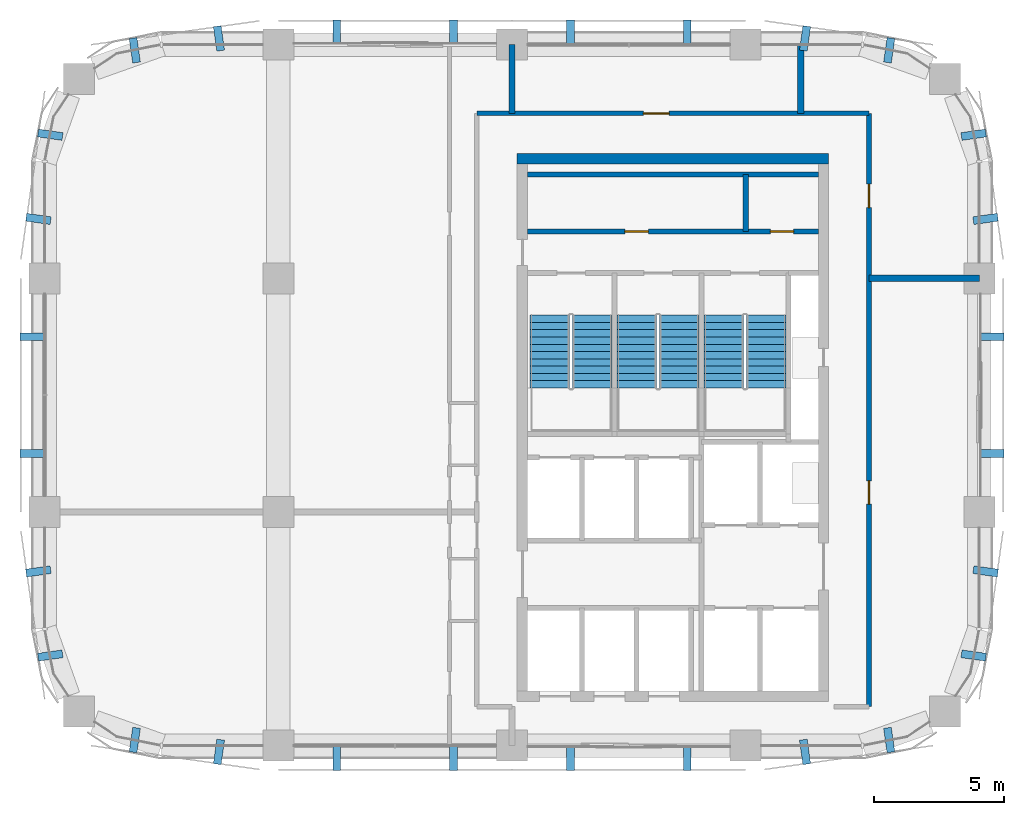
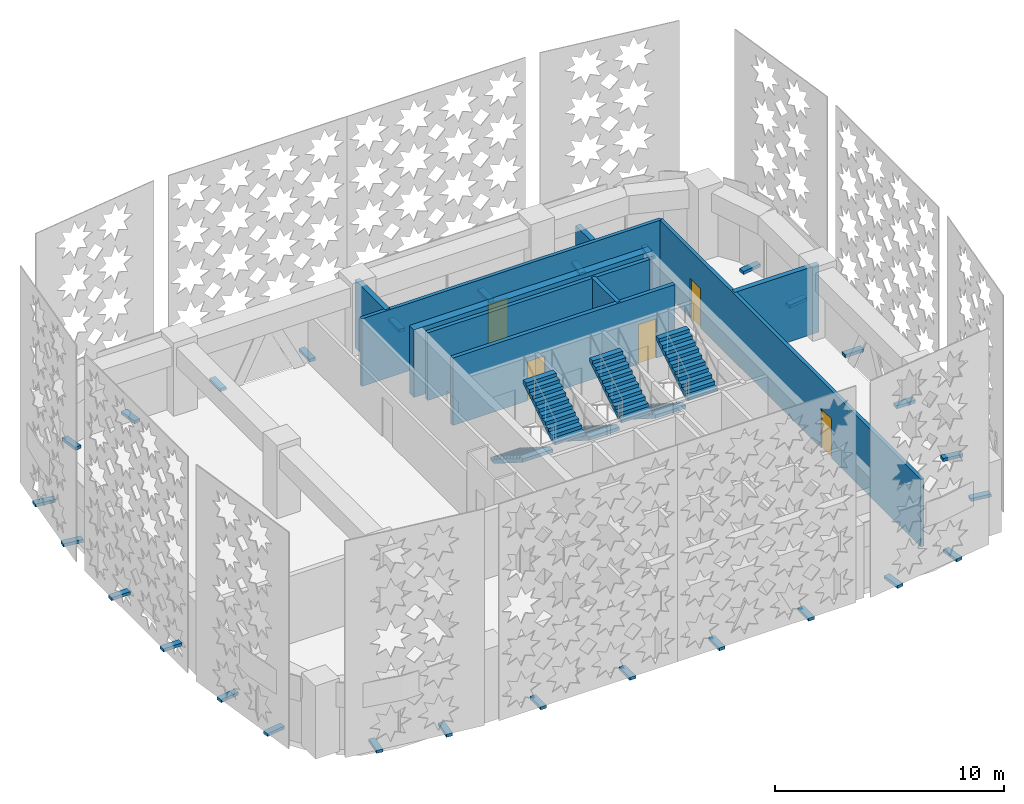
# One storey, part 8 of 14: 28 discrete accessories, 9 walls, 6 stair flights, 5 doors, 5 openings, 3 elements without a shape of their own.
"""IFC4 building model written with IfcOpenShell, lengths in metres."""

from ifc_helpers import new_model, si_unit, direction, frame, frame_2d, origin, origin_2d, place, context, subcontext, project, spatial, polyline, rectangle, outline, extrude, material, layer, layer_set, type_object, element, fill, aggregate, save


model = new_model("IFC4")

# Units and contexts
model_context = context("Model", 3, precision=1e-05, world=origin(), true_north=direction((0.0, 1.0)))
body_context = subcontext(model_context, "Body", "Model", "MODEL_VIEW")
ifc_project = project(units=[si_unit("LENGTHUNIT", "METRE"), si_unit("AREAUNIT", "SQUARE_METRE"), si_unit("VOLUMEUNIT", "CUBIC_METRE"), si_unit("PLANEANGLEUNIT", "RADIAN"), si_unit("MASSUNIT", "GRAM", prefix="KILO")], contexts=[model_context])

# Site, building, storey
site_placement = place(None, origin())
site = spatial("IfcSite", under=ifc_project, at=site_placement, CompositionType="ELEMENT")
building_placement = place(site_placement, origin())
building = spatial("IfcBuilding", under=site, at=building_placement, Name="Tessera Arch", CompositionType="ELEMENT")
storey_placement = place(building_placement, frame((0.0, 0.0, 269.60009765625)))
storey = spatial("IfcBuildingStorey", under=building, at=storey_placement, Name="L65", CompositionType="ELEMENT", Elevation=269.60009765625)

# Wall
ifc_material_1 = material(Name="Gypsum board on steel stud", Category="steel")
ifc_layer_1 = layer(ifc_material_1, 0.125)
ifc_layer_set_1 = layer_set([ifc_layer_1], Name="Core partition 125 EI 60")
wall_type_1 = type_object("IfcWallType", Name="Core partition 125 EI 60", PredefinedType="PARTITIONING", material=ifc_layer_set_1)
wall_1_placement = place(storey_placement, frame((45.0, 46.800048828125, 0.0), z_axis=(0.0, 0.0, 1.0), x_axis=(0.0, 1.0, 0.0)))
element("IfcWall", 1, at=wall_1_placement, inside=storey, type_object=wall_type_1, Name="L65 C1 partition wall 12", PredefinedType="PARTITIONING", context=body_context, shape_type="SweptSolid", body=[
    extrude(rectangle(XDim=2.199951171875, YDim=0.199951171875, at=frame_2d((1.10009765625, 0.0))), origin(), (0.0, 0.0, 1.0), 3.599853515625),
])

# Wall, openings, doors
wall_2_placement = place(storey_placement, frame((36.60009765625, 46.800048828125, 0.0), z_axis=(0.0, 0.0, 1.0), x_axis=(1.0, 0.0, 0.0)))
wall_2 = element("IfcWall", 2, at=wall_2_placement, inside=storey, type_object=wall_type_1, Name="L65 C1 partition wall 31", PredefinedType="PARTITIONING", context=body_context, shape_type="SweptSolid", body=[
    extrude(rectangle(XDim=11.199951171875, YDim=0.199951171875, at=frame_2d((5.60009765625, 0.0))), origin(), (0.0, 0.0, 1.0), 3.599853515625),
])
opening_1_placement = place(wall_2_placement, frame((3.75, 0.0, 0.0)))
opening_1 = element("IfcOpeningElement", 3, at=opening_1_placement, cuts=wall_2, Name="Opening L65-C18", PredefinedType="OPENING", context=body_context, shape_type="SweptSolid", body=[
    extrude(rectangle(XDim=0.89990234375, YDim=2.10009765625, at=frame_2d((0.449951171875, 1.050048828125))), frame((0.0, 0.10986328125, 0.0), z_axis=(0.0, -1.0, 0.0), x_axis=(1.0, 0.0, 0.0)), (0.0, 0.0, 1.0), 0.219970703125),
])
opening_2_placement = place(wall_2_placement, frame((9.35009765625, 0.0, 0.0)))
opening_2 = element("IfcOpeningElement", 4, at=opening_2_placement, cuts=wall_2, Name="Opening L65-C19", PredefinedType="OPENING", context=body_context, shape_type="SweptSolid", body=[
    extrude(rectangle(XDim=0.89990234375, YDim=2.10009765625, at=frame_2d((0.449951171875, 1.050048828125))), frame((0.0, 0.10986328125, 0.0), z_axis=(0.0, -1.0, 0.0), x_axis=(1.0, 0.0, 0.0)), (0.0, 0.0, 1.0), 0.219970703125),
])
ifc_material_2 = material(Name="Steel door leaf", Category="steel")
door_type_1 = type_object("IfcDoorType", Name="Store door FD30S 900 x 2100", OperationType="SINGLE_SWING_LEFT", PredefinedType="DOOR", material=ifc_material_2)
door_1_placement = place(opening_1_placement, origin())
door_1 = element("IfcDoor", 5, at=door_1_placement, inside=storey, type_object=door_type_1, Name="L65 C1 door 18 C18 type D09", OperationType="SINGLE_SWING_LEFT", OverallHeight=2.10009765625, OverallWidth=0.89990234375, PredefinedType="DOOR", context=body_context, shape_type="SweptSolid", body=[
    extrude(rectangle(XDim=0.89990234375, YDim=2.10009765625, at=frame_2d((0.449951171875, 1.050048828125))), frame((0.0, 0.02490234375, 0.0), z_axis=(0.0, -1.0, 0.0), x_axis=(1.0, 0.0, 0.0)), (0.0, 0.0, 1.0), 0.050048828125),
])
fill(opening_1, door_1)
door_2_placement = place(opening_2_placement, origin())
door_2 = element("IfcDoor", 6, at=door_2_placement, inside=storey, type_object=door_type_1, Name="L65 C1 door 19 C19 type D09", OperationType="SINGLE_SWING_RIGHT", OverallHeight=2.10009765625, OverallWidth=0.89990234375, PredefinedType="DOOR", context=body_context, shape_type="SweptSolid", body=[
    extrude(rectangle(XDim=0.89990234375, YDim=2.10009765625, at=frame_2d((0.449951171875, 1.050048828125))), frame((0.0, 0.02490234375, 0.0), z_axis=(0.0, -1.0, 0.0), x_axis=(1.0, 0.0, 0.0)), (0.0, 0.0, 1.0), 0.050048828125),
])
fill(opening_2, door_2)

# Walls
wall_3_placement = place(storey_placement, frame((36.60009765625, 49.0, 0.0), z_axis=(0.0, 0.0, 1.0), x_axis=(1.0, 0.0, 0.0)))
element("IfcWall", 7, at=wall_3_placement, inside=storey, type_object=wall_type_1, Name="L65 C1 partition wall 32", PredefinedType="PARTITIONING", context=body_context, shape_type="SweptSolid", body=[
    extrude(rectangle(XDim=11.199951171875, YDim=0.199951171875, at=frame_2d((5.60009765625, 0.0))), origin(), (0.0, 0.0, 1.0), 3.599853515625),
])
ifc_material_3 = material(Name="Concrete C50/60", Category="concrete")
ifc_layer_2 = layer(ifc_material_3, 0.39990234375)
ifc_layer_set_2 = layer_set([ifc_layer_2], Name="Core shell wall 400 C50-60")
wall_type_2 = type_object("IfcWallType", Name="Core shell wall 400 C50-60", PredefinedType="SHEAR", material=ifc_layer_set_2)
wall_4_placement = place(storey_placement, frame((36.199951171875, 49.60009765625, 0.0), z_axis=(0.0, 0.0, 1.0), x_axis=(1.0, 0.0, 0.0)))
element("IfcWall", 8, at=wall_4_placement, inside=storey, type_object=wall_type_2, Name="L65 C1 core wall N", PredefinedType="SHEAR", context=body_context, shape_type="SweptSolid", body=[
    extrude(rectangle(XDim=12.0, YDim=0.39990234375, at=frame_2d((6.0, 0.0))), origin(), (0.0, 0.0, 1.0), 3.599853515625),
])

# Wall, opening, door
ifc_material_4 = material(Name="Gypsum board on deep steel stud with mineral wool", Category="steel")
ifc_layer_3 = layer(ifc_material_4, 0.175048828125)
ifc_layer_set_3 = layer_set([ifc_layer_3], Name="Corridor wall 175 EI 60")
wall_type_3 = type_object("IfcWallType", Name="Corridor wall 175 EI 60", PredefinedType="PARTITIONING", material=ifc_layer_set_3)
wall_5_placement = place(storey_placement, frame((34.64990234375, 51.35009765625, 0.0), z_axis=(0.0, 0.0, 1.0), x_axis=(1.0, 0.0, 0.0)))
wall_5 = element("IfcWall", 9, at=wall_5_placement, inside=storey, type_object=wall_type_3, Name="L65 partition 3", PredefinedType="PARTITIONING", context=body_context, shape_type="SweptSolid", body=[
    extrude(rectangle(XDim=15.10009765625, YDim=0.175048828125, at=frame_2d((7.550048828125, 0.0))), origin(), (0.0, 0.0, 1.0), 3.599853515625),
])
opening_3_placement = place(wall_5_placement, frame((6.40673828125, 0.0, 0.0)))
opening_3 = element("IfcOpeningElement", 10, at=opening_3_placement, cuts=wall_5, Name="Opening L65-D011", PredefinedType="OPENING", context=body_context, shape_type="SweptSolid", body=[
    extrude(rectangle(XDim=1.0, YDim=2.10009765625, at=frame_2d((0.5, 1.050048828125))), frame((0.0, 0.097412109375, 0.0), z_axis=(0.0, -1.0, 0.0), x_axis=(1.0, 0.0, 0.0)), (0.0, 0.0, 1.0), 0.195068359375),
])
ifc_material_5 = material(Name="Fire-rated door leaf")
door_type_2 = type_object("IfcDoorType", Name="Entrance door FD30S 1000 x 2100", OperationType="SINGLE_SWING_LEFT", PredefinedType="DOOR", material=ifc_material_5)
door_3_placement = place(opening_3_placement, origin())
door_3 = element("IfcDoor", 11, at=door_3_placement, inside=storey, type_object=door_type_2, Name="L65 door D011 type D03", OperationType="SINGLE_SWING_LEFT", OverallHeight=2.10009765625, OverallWidth=1.0, PredefinedType="DOOR", context=body_context, shape_type="SweptSolid", body=[
    extrude(rectangle(XDim=1.0, YDim=2.10009765625, at=frame_2d((0.5, 1.050048828125))), frame((0.0, 0.02490234375, 0.0), z_axis=(0.0, -1.0, 0.0), x_axis=(1.0, 0.0, 0.0)), (0.0, 0.0, 1.0), 0.050048828125),
])
fill(opening_3, door_3)

# Wall, openings, doors
wall_6_placement = place(storey_placement, frame((49.75, 28.5, 0.0), z_axis=(0.0, 0.0, 1.0), x_axis=(0.0, 1.0, 0.0)))
wall_6 = element("IfcWall", 12, at=wall_6_placement, inside=storey, type_object=wall_type_3, Name="L65 partition 5", PredefinedType="PARTITIONING", context=body_context, shape_type="SweptSolid", body=[
    extrude(rectangle(XDim=22.85009765625, YDim=0.175048828125, at=frame_2d((11.425048828125, 0.0))), origin(), (0.0, 0.0, 1.0), 3.599853515625),
])
opening_4_placement = place(wall_6_placement, frame((7.800048828125, 0.0, 0.0)))
opening_4 = element("IfcOpeningElement", 13, at=opening_4_placement, cuts=wall_6, Name="Opening L65-D005", PredefinedType="OPENING", context=body_context, shape_type="SweptSolid", body=[
    extrude(rectangle(XDim=0.89990234375, YDim=2.10009765625, at=frame_2d((0.449951171875, 1.050048828125))), frame((0.0, 0.097412109375, 0.0), z_axis=(0.0, -1.0, 0.0), x_axis=(1.0, 0.0, 0.0)), (0.0, 0.0, 1.0), 0.195068359375),
])
opening_5_placement = place(wall_6_placement, frame((19.22509765625, 0.0, 0.0)))
opening_5 = element("IfcOpeningElement", 14, at=opening_5_placement, cuts=wall_6, Name="Opening L65-D010", PredefinedType="OPENING", context=body_context, shape_type="SweptSolid", body=[
    extrude(rectangle(XDim=0.89990234375, YDim=2.10009765625, at=frame_2d((0.449951171875, 1.050048828125))), frame((0.0, 0.097412109375, 0.0), z_axis=(0.0, -1.0, 0.0), x_axis=(1.0, 0.0, 0.0)), (0.0, 0.0, 1.0), 0.195068359375),
])
ifc_material_6 = material(Name="Timber door leaf", Category="wood")
door_type_3 = type_object("IfcDoorType", Name="Room door 900 x 2100", OperationType="SINGLE_SWING_LEFT", PredefinedType="DOOR", material=ifc_material_6)
door_4_placement = place(opening_4_placement, origin())
door_4 = element("IfcDoor", 15, at=door_4_placement, inside=storey, type_object=door_type_3, Name="L65 door D005 type D01", OperationType="SINGLE_SWING_LEFT", OverallHeight=2.10009765625, OverallWidth=0.89990234375, PredefinedType="DOOR", context=body_context, shape_type="SweptSolid", body=[
    extrude(rectangle(XDim=0.89990234375, YDim=2.10009765625, at=frame_2d((0.449951171875, 1.050048828125))), frame((0.0, 0.02490234375, 0.0), z_axis=(0.0, -1.0, 0.0), x_axis=(1.0, 0.0, 0.0)), (0.0, 0.0, 1.0), 0.050048828125),
])
fill(opening_4, door_4)
door_5_placement = place(opening_5_placement, origin())
door_5 = element("IfcDoor", 16, at=door_5_placement, inside=storey, type_object=door_type_3, Name="L65 door D010 type D01", OperationType="SINGLE_SWING_LEFT", OverallHeight=2.10009765625, OverallWidth=0.89990234375, PredefinedType="DOOR", context=body_context, shape_type="SweptSolid", body=[
    extrude(rectangle(XDim=0.89990234375, YDim=2.10009765625, at=frame_2d((0.449951171875, 1.050048828125))), frame((0.0, 0.02490234375, 0.0), z_axis=(0.0, -1.0, 0.0), x_axis=(1.0, 0.0, 0.0)), (0.0, 0.0, 1.0), 0.050048828125),
])
fill(opening_5, door_5)

# Walls
ifc_material_7 = material(Name="Double gypsum board on twin steel stud with acoustic mineral wool", Category="steel")
ifc_layer_4 = layer(ifc_material_7, 0.25)
ifc_layer_set_4 = layer_set([ifc_layer_4], Name="Party wall 250 EI 60")
wall_type_4 = type_object("IfcWallType", Name="Party wall 250 EI 60", PredefinedType="PARTITIONING", material=ifc_layer_set_4)
wall_7_placement = place(storey_placement, frame((49.75, 45.0, 0.0), z_axis=(0.0, 0.0, 1.0), x_axis=(1.0, 0.0, 0.0)))
element("IfcWall", 17, at=wall_7_placement, inside=storey, type_object=wall_type_4, Name="L65 partition 10", PredefinedType="PARTITIONING", context=body_context, shape_type="SweptSolid", body=[
    extrude(rectangle(XDim=4.25, YDim=0.25, at=frame_2d((2.125, 0.0))), origin(), (0.0, 0.0, 1.0), 3.599853515625),
])
wall_8_placement = place(storey_placement, frame((36.0, 51.35009765625, 0.0), z_axis=(0.0, 0.0, 1.0), x_axis=(0.0, 1.0, 0.0)))
element("IfcWall", 18, at=wall_8_placement, inside=storey, type_object=wall_type_4, Name="L65 partition 12", PredefinedType="PARTITIONING", context=body_context, shape_type="SweptSolid", body=[
    extrude(rectangle(XDim=2.64990234375, YDim=0.25, at=frame_2d((1.324951171875, 0.0))), origin(), (0.0, 0.0, 1.0), 3.599853515625),
])
wall_9_placement = place(storey_placement, frame((47.114013671875, 51.35009765625, 0.0), z_axis=(0.0, 0.0, 1.0), x_axis=(0.0, 1.0, 0.0)))
element("IfcWall", 19, at=wall_9_placement, inside=storey, type_object=wall_type_4, Name="L65 partition 13", PredefinedType="PARTITIONING", context=body_context, shape_type="SweptSolid", body=[
    extrude(rectangle(XDim=2.64990234375, YDim=0.25, at=frame_2d((1.324951171875, 0.0))), origin(), (0.0, 0.0, 1.0), 2.599853515625),
])

# Stair, stair flights
ifc_material_8 = material(Name="Concrete C40/50", Category="concrete")
stair_type = type_object("IfcStairType", Name="Dogleg stair 1520", PredefinedType="HALF_TURN_STAIR", material=ifc_material_8)
stair_1_placement = place(storey_placement, origin())
stair_1 = element("IfcStair", 20, at=stair_1_placement, inside=storey, type_object=stair_type, Name="L65 S1a", PredefinedType="HALF_TURN_STAIR")
ifc_material_9 = material(Name="Concrete C40/50", Category="concrete")
stair_flight_type = type_object("IfcStairFlightType", Name="Stair flight 1520", PredefinedType="STRAIGHT", material=ifc_material_9)
stair_flight_1_placement = place(storey_placement, frame((37.4599609375, 43.580078125, 0.0), z_axis=(0.0, 0.0, 1.0), x_axis=(0.0, -1.0, 0.0)))
stair_flight_1 = element("IfcStairFlight", 21, at=stair_flight_1_placement, type_object=stair_flight_type, Name="S1a flight 1", NumberOfRisers=11, NumberOfTreads=10, PredefinedType="STRAIGHT", RiserHeight=0.177272727, TreadLength=0.28, context=body_context, shape_type="SweptSolid", body=[
    extrude(outline(polyline([(0.0, 0.0), (0.0, 0.17724609375), (0.280029296875, 0.17724609375), (0.280029296875, 0.3544921875), (0.56005859375, 0.3544921875), (0.56005859375, 0.53173828125), (0.840087890625, 0.53173828125), (0.840087890625, 0.708984375), (1.1201171875, 0.708984375), (1.1201171875, 0.886474609375), (1.39990234375, 0.886474609375), (1.39990234375, 1.063720703125), (1.679931640625, 1.063720703125), (1.679931640625, 1.240966796875), (1.9599609375, 1.240966796875), (1.9599609375, 1.418212890625), (2.239990234375, 1.418212890625), (2.239990234375, 1.595458984375), (2.52001953125, 1.595458984375), (2.52001953125, 1.772705078125), (2.800048828125, 1.772705078125), (2.800048828125, 1.949951171875), (2.800048828125, 1.59521484375), (0.2802734375, 0.0), (0.0, 0.0)])), frame((0.0, 0.760009765625, 0.0), z_axis=(0.0, -1.0, 0.0), x_axis=(1.0, 0.0, 0.0)), (0.0, 0.0, 1.0), 1.52001953125),
])
stair_flight_2_placement = place(storey_placement, frame((39.090087890625, 40.780029296875, 1.949951171875), z_axis=(0.0, 0.0, 1.0), x_axis=(0.0, 1.0, 0.0)))
stair_flight_2 = element("IfcStairFlight", 22, at=stair_flight_2_placement, type_object=stair_flight_type, Name="S1a flight 2", NumberOfRisers=11, NumberOfTreads=10, PredefinedType="STRAIGHT", RiserHeight=0.177272727, TreadLength=0.28, context=body_context, shape_type="SweptSolid", body=[
    extrude(outline(polyline([(0.0, 0.0), (0.0, 0.17724609375), (0.280029296875, 0.17724609375), (0.280029296875, 0.3544921875), (0.56005859375, 0.3544921875), (0.56005859375, 0.53173828125), (0.840087890625, 0.53173828125), (0.840087890625, 0.708984375), (1.1201171875, 0.708984375), (1.1201171875, 0.886474609375), (1.39990234375, 0.886474609375), (1.39990234375, 1.063720703125), (1.679931640625, 1.063720703125), (1.679931640625, 1.240966796875), (1.9599609375, 1.240966796875), (1.9599609375, 1.418212890625), (2.239990234375, 1.418212890625), (2.239990234375, 1.595458984375), (2.52001953125, 1.595458984375), (2.52001953125, 1.772705078125), (2.800048828125, 1.772705078125), (2.800048828125, 1.949951171875), (2.800048828125, 1.59521484375), (0.2802734375, 0.0), (0.0, 0.0)])), frame((0.0, 0.760009765625, 0.0), z_axis=(0.0, -1.0, 0.0), x_axis=(1.0, 0.0, 0.0)), (0.0, 0.0, 1.0), 1.52001953125),
])
aggregate(stair_1, [stair_flight_1, stair_flight_2])

stair_2_placement = place(storey_placement, origin())
stair_2 = element("IfcStair", 23, at=stair_2_placement, inside=storey, type_object=stair_type, Name="L65 S1b", PredefinedType="HALF_TURN_STAIR")
stair_flight_3_placement = place(storey_placement, frame((40.81005859375, 43.580078125, 0.0), z_axis=(0.0, 0.0, 1.0), x_axis=(0.0, -1.0, 0.0)))
stair_flight_3 = element("IfcStairFlight", 24, at=stair_flight_3_placement, type_object=stair_flight_type, Name="S1b flight 1", NumberOfRisers=11, NumberOfTreads=10, PredefinedType="STRAIGHT", RiserHeight=0.177272727, TreadLength=0.28, context=body_context, shape_type="SweptSolid", body=[
    extrude(outline(polyline([(0.0, 0.0), (0.0, 0.17724609375), (0.280029296875, 0.17724609375), (0.280029296875, 0.3544921875), (0.56005859375, 0.3544921875), (0.56005859375, 0.53173828125), (0.840087890625, 0.53173828125), (0.840087890625, 0.708984375), (1.1201171875, 0.708984375), (1.1201171875, 0.886474609375), (1.39990234375, 0.886474609375), (1.39990234375, 1.063720703125), (1.679931640625, 1.063720703125), (1.679931640625, 1.240966796875), (1.9599609375, 1.240966796875), (1.9599609375, 1.418212890625), (2.239990234375, 1.418212890625), (2.239990234375, 1.595458984375), (2.52001953125, 1.595458984375), (2.52001953125, 1.772705078125), (2.800048828125, 1.772705078125), (2.800048828125, 1.949951171875), (2.800048828125, 1.59521484375), (0.2802734375, 0.0), (0.0, 0.0)])), frame((0.0, 0.760009765625, 0.0), z_axis=(0.0, -1.0, 0.0), x_axis=(1.0, 0.0, 0.0)), (0.0, 0.0, 1.0), 1.52001953125),
])
stair_flight_4_placement = place(storey_placement, frame((42.43994140625, 40.780029296875, 1.949951171875), z_axis=(0.0, 0.0, 1.0), x_axis=(0.0, 1.0, 0.0)))
stair_flight_4 = element("IfcStairFlight", 25, at=stair_flight_4_placement, type_object=stair_flight_type, Name="S1b flight 2", NumberOfRisers=11, NumberOfTreads=10, PredefinedType="STRAIGHT", RiserHeight=0.177272727, TreadLength=0.28, context=body_context, shape_type="SweptSolid", body=[
    extrude(outline(polyline([(0.0, 0.0), (0.0, 0.17724609375), (0.280029296875, 0.17724609375), (0.280029296875, 0.3544921875), (0.56005859375, 0.3544921875), (0.56005859375, 0.53173828125), (0.840087890625, 0.53173828125), (0.840087890625, 0.708984375), (1.1201171875, 0.708984375), (1.1201171875, 0.886474609375), (1.39990234375, 0.886474609375), (1.39990234375, 1.063720703125), (1.679931640625, 1.063720703125), (1.679931640625, 1.240966796875), (1.9599609375, 1.240966796875), (1.9599609375, 1.418212890625), (2.239990234375, 1.418212890625), (2.239990234375, 1.595458984375), (2.52001953125, 1.595458984375), (2.52001953125, 1.772705078125), (2.800048828125, 1.772705078125), (2.800048828125, 1.949951171875), (2.800048828125, 1.59521484375), (0.2802734375, 0.0), (0.0, 0.0)])), frame((0.0, 0.760009765625, 0.0), z_axis=(0.0, -1.0, 0.0), x_axis=(1.0, 0.0, 0.0)), (0.0, 0.0, 1.0), 1.52001953125),
])
aggregate(stair_2, [stair_flight_3, stair_flight_4])

stair_3_placement = place(storey_placement, origin())
stair_3 = element("IfcStair", 26, at=stair_3_placement, inside=storey, type_object=stair_type, Name="L65 S1c", PredefinedType="HALF_TURN_STAIR")
stair_flight_5_placement = place(storey_placement, frame((44.159912109375, 43.580078125, 0.0), z_axis=(0.0, 0.0, 1.0), x_axis=(0.0, -1.0, 0.0)))
stair_flight_5 = element("IfcStairFlight", 27, at=stair_flight_5_placement, type_object=stair_flight_type, Name="S1c flight 1", NumberOfRisers=11, NumberOfTreads=10, PredefinedType="STRAIGHT", RiserHeight=0.177272727, TreadLength=0.28, context=body_context, shape_type="SweptSolid", body=[
    extrude(outline(polyline([(0.0, 0.0), (0.0, 0.17724609375), (0.280029296875, 0.17724609375), (0.280029296875, 0.3544921875), (0.56005859375, 0.3544921875), (0.56005859375, 0.53173828125), (0.840087890625, 0.53173828125), (0.840087890625, 0.708984375), (1.1201171875, 0.708984375), (1.1201171875, 0.886474609375), (1.39990234375, 0.886474609375), (1.39990234375, 1.063720703125), (1.679931640625, 1.063720703125), (1.679931640625, 1.240966796875), (1.9599609375, 1.240966796875), (1.9599609375, 1.418212890625), (2.239990234375, 1.418212890625), (2.239990234375, 1.595458984375), (2.52001953125, 1.595458984375), (2.52001953125, 1.772705078125), (2.800048828125, 1.772705078125), (2.800048828125, 1.949951171875), (2.800048828125, 1.59521484375), (0.2802734375, 0.0), (0.0, 0.0)])), frame((0.0, 0.760009765625, 0.0), z_axis=(0.0, -1.0, 0.0), x_axis=(1.0, 0.0, 0.0)), (0.0, 0.0, 1.0), 1.52001953125),
])
stair_flight_6_placement = place(storey_placement, frame((45.7900390625, 40.780029296875, 1.949951171875), z_axis=(0.0, 0.0, 1.0), x_axis=(0.0, 1.0, 0.0)))
stair_flight_6 = element("IfcStairFlight", 28, at=stair_flight_6_placement, type_object=stair_flight_type, Name="S1c flight 2", NumberOfRisers=11, NumberOfTreads=10, PredefinedType="STRAIGHT", RiserHeight=0.177272727, TreadLength=0.28, context=body_context, shape_type="SweptSolid", body=[
    extrude(outline(polyline([(0.0, 0.0), (0.0, 0.17724609375), (0.280029296875, 0.17724609375), (0.280029296875, 0.3544921875), (0.56005859375, 0.3544921875), (0.56005859375, 0.53173828125), (0.840087890625, 0.53173828125), (0.840087890625, 0.708984375), (1.1201171875, 0.708984375), (1.1201171875, 0.886474609375), (1.39990234375, 0.886474609375), (1.39990234375, 1.063720703125), (1.679931640625, 1.063720703125), (1.679931640625, 1.240966796875), (1.9599609375, 1.240966796875), (1.9599609375, 1.418212890625), (2.239990234375, 1.418212890625), (2.239990234375, 1.595458984375), (2.52001953125, 1.595458984375), (2.52001953125, 1.772705078125), (2.800048828125, 1.772705078125), (2.800048828125, 1.949951171875), (2.800048828125, 1.59521484375), (0.2802734375, 0.0), (0.0, 0.0)])), frame((0.0, 0.760009765625, 0.0), z_axis=(0.0, -1.0, 0.0), x_axis=(1.0, 0.0, 0.0)), (0.0, 0.0, 1.0), 1.52001953125),
])
aggregate(stair_3, [stair_flight_5, stair_flight_6])

# Discrete accessories
for number, where, z_axis, x_axis, name in (
    (29, (54.47509765625, 38.25, 0.0), (0.0, 0.0, 1.0), (1.0, 0.0, 0.0), "Screen panel bracket"),
    (30, (54.47509765625, 42.75, 0.0), (0.0, 0.0, 1.0), (1.0, 0.0, 0.0), "Screen panel bracket"),
    (31, (54.240966796875, 47.287109375, 0.0), (0.0, 0.0, 1.0), (0.99013890656, 0.140089063515, 0.0), "Screen panel bracket"),
    (32, (53.782470703125, 50.528076171875, 0.0), (0.0, 0.0, 1.0), (0.99013890656, 0.140089063515, 0.0), "Screen panel bracket"),
    (33, (50.528076171875, 53.782470703125, 0.0), (0.0, 0.0, 1.0), (0.140089063515, 0.99013890656, 0.0), "Screen panel bracket"),
    (34, (47.287109375, 54.240966796875, 0.0), (0.0, 0.0, 1.0), (0.140089063515, 0.99013890656, 0.0), "Screen panel bracket"),
    (35, (42.75, 54.47509765625, 0.0), (0.0, 0.0, 1.0), (0.0, 1.0, 0.0), "Screen panel bracket"),
    (36, (38.25, 54.47509765625, 0.0), (0.0, 0.0, 1.0), (0.0, 1.0, 0.0), "Screen panel bracket"),
    (37, (33.75, 54.47509765625, 0.0), (0.0, 0.0, 1.0), (0.0, 1.0, 0.0), "Screen panel bracket"),
    (38, (29.25, 54.47509765625, 0.0), (0.0, 0.0, 1.0), (0.0, 1.0, 0.0), "Screen panel bracket"),
    (39, (24.712890625, 54.240966796875, 0.0), (0.0, 0.0, 1.0), (-0.140089063515, 0.99013890656, 0.0), "Screen panel bracket"),
    (40, (21.471923828125, 53.782470703125, 0.0), (0.0, 0.0, 1.0), (-0.140089063515, 0.99013890656, 0.0), "Screen panel bracket"),
    (41, (18.217529296875, 50.528076171875, 0.0), (0.0, 0.0, 1.0), (-0.99013890656, 0.140089063515, 0.0), "Screen panel bracket"),
    (42, (17.759033203125, 47.287109375, 0.0), (0.0, 0.0, 1.0), (-0.99013890656, 0.140089063515, 0.0), "Screen panel bracket"),
    (43, (17.52490234375, 42.75, 0.0), (0.0, 0.0, 1.0), (-1.0, 0.0, 0.0), "Screen panel bracket"),
    (44, (17.52490234375, 38.25, 0.0), (0.0, 0.0, 1.0), (-1.0, 0.0, 0.0), "Screen panel bracket"),
    (45, (17.759033203125, 33.712890625, 0.0), (0.0, 0.0, 1.0), (-0.99013890656, -0.140089063515, 0.0), "Screen panel bracket"),
    (46, (18.217529296875, 30.471923828125, 0.0), (0.0, 0.0, 1.0), (-0.99013890656, -0.140089063515, 0.0), "Screen panel bracket"),
    (47, (21.471923828125, 27.217529296875, 0.0), (0.0, 0.0, 1.0), (-0.140089063515, -0.99013890656, 0.0), "Screen panel bracket"),
    (48, (24.712890625, 26.759033203125, 0.0), (0.0, 0.0, 1.0), (-0.140089063515, -0.99013890656, 0.0), "Screen panel bracket"),
    (49, (29.25, 26.52490234375, 0.0), (0.0, 0.0, 1.0), (0.0, -1.0, 0.0), "Screen panel bracket"),
    (50, (33.75, 26.52490234375, 0.0), (0.0, 0.0, 1.0), (0.0, -1.0, 0.0), "Screen panel bracket"),
    (51, (38.25, 26.52490234375, 0.0), (0.0, 0.0, 1.0), (0.0, -1.0, 0.0), "Screen panel bracket"),
    (52, (42.75, 26.52490234375, 0.0), (0.0, 0.0, 1.0), (0.0, -1.0, 0.0), "Screen panel bracket"),
    (53, (47.287109375, 26.759033203125, 0.0), (0.0, 0.0, 1.0), (0.140089063515, -0.99013890656, 0.0), "Screen panel bracket"),
    (54, (50.528076171875, 27.217529296875, 0.0), (0.0, 0.0, 1.0), (0.140089063515, -0.99013890656, 0.0), "Screen panel bracket"),
    (55, (53.782470703125, 30.471923828125, 0.0), (0.0, 0.0, 1.0), (0.99013890656, -0.140089063515, 0.0), "Screen panel bracket"),
    (56, (54.240966796875, 33.712890625, 0.0), (0.0, 0.0, 1.0), (0.99013890656, -0.140089063515, 0.0), "Screen panel bracket"),
):
    element("IfcDiscreteAccessory", number, at=place(storey_placement, frame(where, z_axis=z_axis, x_axis=x_axis)), inside=storey, Name=name, PredefinedType="BRACKET", context=body_context, shape_type="SweptSolid", body=[
        extrude(rectangle(XDim=0.949951171875, YDim=0.300048828125, at=origin_2d()), origin(), (0.0, 0.0, 1.0), 0.159912109375),
    ])

save(model, "model.ifc")
